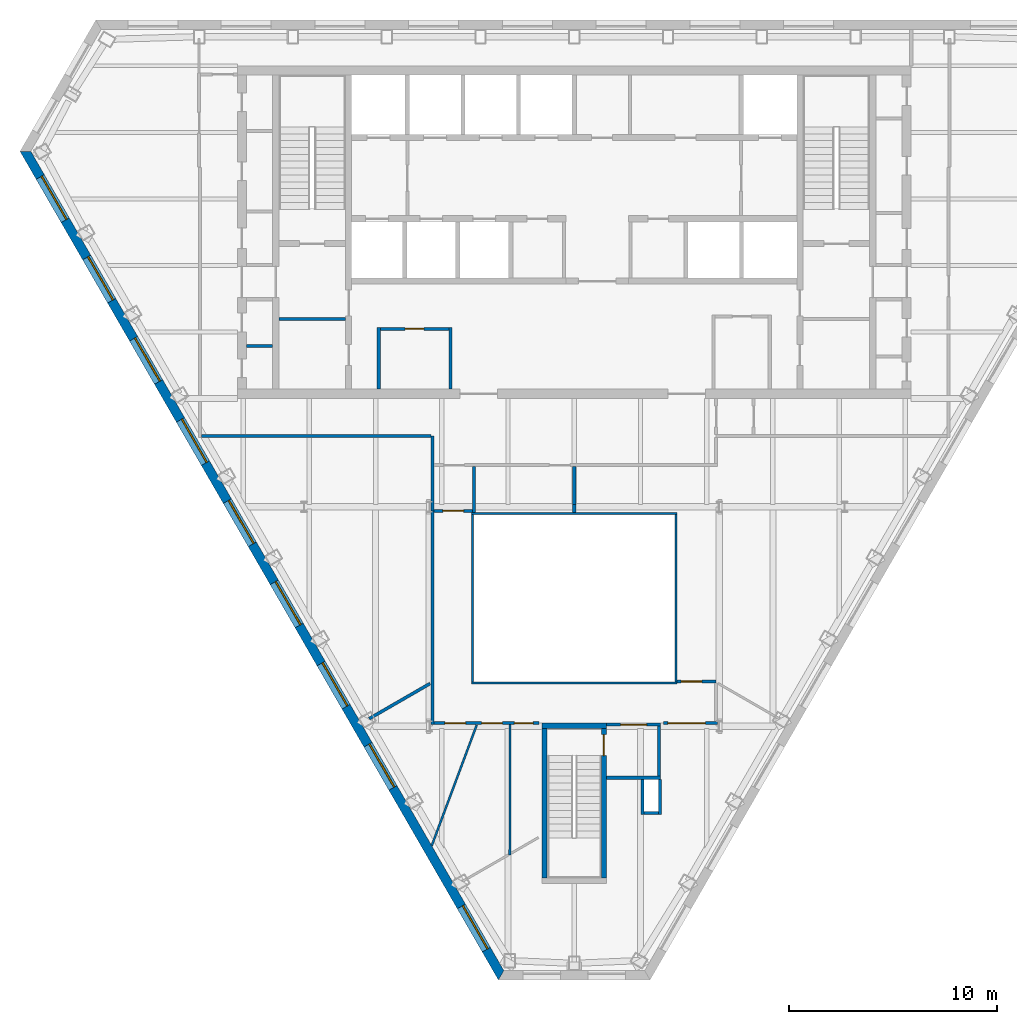
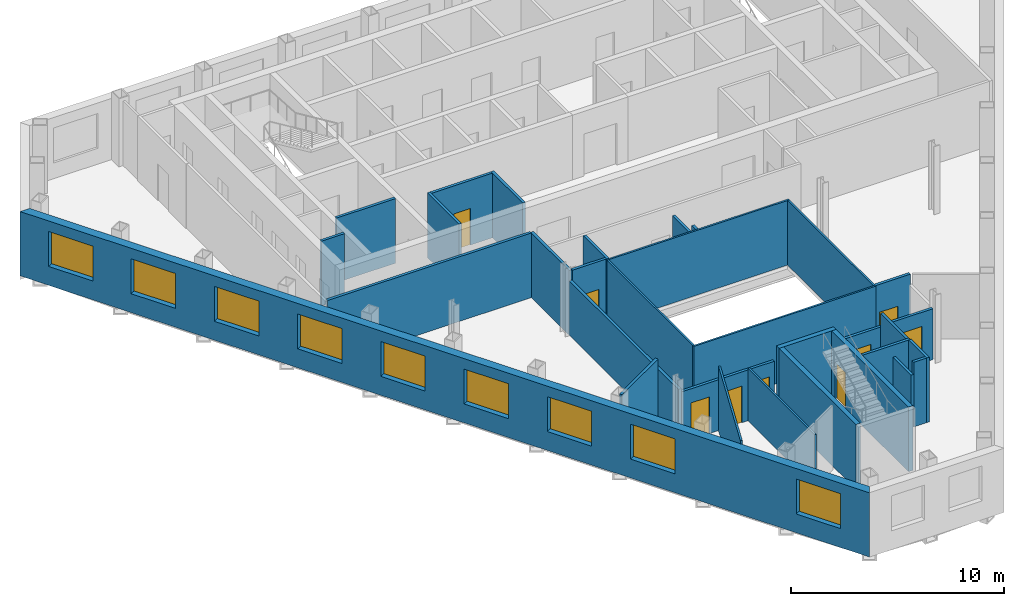
# One storey, part 4 of 11: 32 walls, 9 doors, 9 windows, 18 openings.
"""IFC4 building model written with IfcOpenShell, lengths in metres."""

from ifc_helpers import new_model, si_unit, direction, frame, frame_2d, origin, place, context, subcontext, project, spatial, polyline, rectangle, outline, extrude, material, layer, layer_set, type_object, element, fill, save


model = new_model("IFC4")

# Units and contexts
model_context = context("Model", 3, precision=1e-05, world=origin(), true_north=direction((0.0, 1.0)))
body_context = subcontext(model_context, "Body", "Model", "MODEL_VIEW")
ifc_project = project(units=[si_unit("LENGTHUNIT", "METRE"), si_unit("AREAUNIT", "SQUARE_METRE"), si_unit("VOLUMEUNIT", "CUBIC_METRE"), si_unit("PLANEANGLEUNIT", "RADIAN"), si_unit("MASSUNIT", "GRAM", prefix="KILO")], contexts=[model_context])

# Site, building, storey
site_placement = place(None, origin())
site = spatial("IfcSite", under=ifc_project, at=site_placement, CompositionType="ELEMENT")
building_placement = place(site_placement, origin())
building = spatial("IfcBuilding", under=site, at=building_placement, Name="Njiva Tower", CompositionType="ELEMENT")
storey_placement = place(building_placement, frame((0.0, 0.0, 204.3)))
storey = spatial("IfcBuildingStorey", under=building, at=storey_placement, Name="L45", CompositionType="ELEMENT", Elevation=204.3)

# Walls
ifc_material_1 = material(Name="Blockwork", Category="masonry")
ifc_layer_1 = layer(ifc_material_1, 0.15)
ifc_layer_set_1 = layer_set([ifc_layer_1], Name="Blockwork")
wall_type_1 = type_object("IfcWallType", Name="WT1 Compartment partition 150", PredefinedType="PARTITIONING", material=ifc_layer_set_1)
wall_1_placement = place(storey_placement, frame((-14.2, 5.825, 0.0), z_axis=(0.0, 0.0, 1.0), x_axis=(1.0, 0.0, 0.0)))
element("IfcWall", 1, at=wall_1_placement, inside=storey, type_object=wall_type_1, Name="Room wall A", PredefinedType="PARTITIONING", context=body_context, shape_type="SweptSolid", body=[
    extrude(rectangle(XDim=3.2, YDim=0.15, at=frame_2d((1.6, 0.0))), origin(), (0.0, 0.0, 1.0), 3.7),
])
wall_2_placement = place(storey_placement, frame((-15.75, 4.5363, 0.0), z_axis=(0.0, 0.0, 1.0), x_axis=(1.0, 0.0, 0.0)))
element("IfcWall", 2, at=wall_2_placement, inside=storey, type_object=wall_type_1, Name="Partition strip W00", PredefinedType="PARTITIONING", context=body_context, shape_type="SweptSolid", body=[
    extrude(rectangle(XDim=1.25, YDim=0.15, at=frame_2d((0.625, 0.0))), origin(), (0.0, 0.0, 1.0), 3.7),
])
for number, where, z_axis, x_axis, name in (
    (3, (-9.4, 2.45, 0.0), (0.0, 0.0, 1.0), (0.0, 1.0, 0.0), "Post room wall west"),
    (4, (-5.95, 2.45, 0.0), (0.0, 0.0, 1.0), (0.0, 1.0, 0.0), "Post room wall east"),
):
    element("IfcWall", number, at=place(storey_placement, frame(where, z_axis=z_axis, x_axis=x_axis)), inside=storey, type_object=wall_type_1, Name=name, PredefinedType="PARTITIONING", context=body_context, shape_type="SweptSolid", body=[
        extrude(rectangle(XDim=2.975, YDim=0.15, at=frame_2d((1.4875, 0.0))), origin(), (0.0, 0.0, 1.0), 3.7),
    ])

# Wall, opening, door
wall_3_placement = place(storey_placement, frame((-9.325, 5.35, 0.0), z_axis=(0.0, 0.0, 1.0), x_axis=(1.0, 0.0, 0.0)))
wall_3 = element("IfcWall", 5, at=wall_3_placement, inside=storey, type_object=wall_type_1, Name="Post room wall north", PredefinedType="PARTITIONING", context=body_context, shape_type="SweptSolid", body=[
    extrude(rectangle(XDim=3.3, YDim=0.15, at=frame_2d((1.65, 0.0))), origin(), (0.0, 0.0, 1.0), 3.7),
])
opening_1_placement = place(wall_3_placement, frame((1.2, 0.0, 0.0)))
opening_1 = element("IfcOpeningElement", 6, at=opening_1_placement, cuts=wall_3, Name="Opening S15-D935", PredefinedType="OPENING", context=body_context, shape_type="SweptSolid", body=[
    extrude(rectangle(XDim=0.9, YDim=2.1, at=frame_2d((0.45, 1.05))), frame((0.0, 0.085, 0.0), z_axis=(0.0, -1.0, 0.0), x_axis=(1.0, 0.0, 0.0)), (0.0, 0.0, 1.0), 0.17),
])
ifc_material_2 = material(Name="Steel fire door, painted", Category="steel")
door_type_1 = type_object("IfcDoorType", Name="D6 Fire-rated door 900x2100", OperationType="SINGLE_SWING_LEFT", PredefinedType="DOOR", material=ifc_material_2)
door_1_placement = place(opening_1_placement, origin())
door_1 = element("IfcDoor", 7, at=door_1_placement, inside=storey, type_object=door_type_1, Name="Post room door", OperationType="SINGLE_SWING_RIGHT", OverallHeight=2.1, OverallWidth=0.9, PredefinedType="DOOR", context=body_context, shape_type="SweptSolid", body=[
    extrude(rectangle(XDim=0.9, YDim=2.1, at=frame_2d((0.45, 1.05))), frame((0.0, 0.025, 0.0), z_axis=(0.0, -1.0, 0.0), x_axis=(1.0, 0.0, 0.0)), (0.0, 0.0, 1.0), 0.05),
])
fill(opening_1, door_1)

# Walls
ifc_material_3 = material(Name="Gypsum board on steel studs", Category="gypsum")
ifc_layer_2 = layer(ifc_material_3, 0.1)
ifc_layer_set_2 = layer_set([ifc_layer_2], Name="Gypsum board on steel studs")
wall_type_2 = type_object("IfcWallType", Name="WT20 Gypsum partition 100", PredefinedType="PARTITIONING", material=ifc_layer_set_2)
wall_4_placement = place(storey_placement, frame((-6.852, -19.495, 0.0), z_axis=(0.0, 0.0, 1.0), x_axis=(0.349406475185, 0.936971245609, 0.0)))
element("IfcWall", 8, at=wall_4_placement, inside=storey, type_object=wall_type_2, Name="Partition S15-P007", PredefinedType="PARTITIONING", context=body_context, shape_type="SweptSolid", body=[
    extrude(rectangle(XDim=6.1934, YDim=0.1, at=frame_2d((3.0967, 0.0))), origin(), (0.0, 0.0, 1.0), 3.7),
])
wall_5_placement = place(storey_placement, frame((-3.1, -19.948, 0.0), z_axis=(0.0, 0.0, 1.0), x_axis=(0.003347661777, 0.999994396565, 0.0)))
element("IfcWall", 9, at=wall_5_placement, inside=storey, type_object=wall_type_2, Name="Partition S15-P014", PredefinedType="PARTITIONING", context=body_context, shape_type="SweptSolid", body=[
    extrude(rectangle(XDim=6.273, YDim=0.1, at=frame_2d((3.1365, 0.0))), origin(), (0.0, 0.0, 1.0), 3.01),
])
ifc_layer_3 = layer(ifc_material_3, 0.15)
ifc_layer_set_3 = layer_set([ifc_layer_3], Name="Gypsum board on steel studs")
wall_type_3 = type_object("IfcWallType", Name="WT21 Compartment wall 150", PredefinedType="PARTITIONING", material=ifc_layer_set_3)
wall_6_placement = place(storey_placement, frame((-17.925, 0.2, 0.0), z_axis=(0.0, 0.0, 1.0), x_axis=(1.0, 0.0, 0.0)))
element("IfcWall", 10, at=wall_6_placement, inside=storey, type_object=wall_type_3, Name="Partition S15-P005", PredefinedType="PARTITIONING", context=body_context, shape_type="SweptSolid", body=[
    extrude(rectangle(XDim=11.03, YDim=0.15, at=frame_2d((5.515, 0.0))), origin(), (0.0, 0.0, 1.0), 3.7),
])
wall_7_placement = place(storey_placement, frame((-9.858, -13.389, 0.0), z_axis=(0.0, 0.0, 1.0), x_axis=(0.865993292597, 0.500055614084, 0.0)))
element("IfcWall", 11, at=wall_7_placement, inside=storey, type_object=wall_type_3, Name="Partition S15-P006", PredefinedType="PARTITIONING", context=body_context, shape_type="SweptSolid", body=[
    extrude(rectangle(XDim=3.3776, YDim=0.15, at=frame_2d((1.6888, 0.0))), origin(), (0.0, 0.0, 1.0), 3.7),
])
wall_8_placement = place(storey_placement, frame((-6.82, -13.675, 0.0), z_axis=(0.0, 0.0, 1.0), x_axis=(0.0, 1.0, 0.0)))
element("IfcWall", 12, at=wall_8_placement, inside=storey, type_object=wall_type_3, Name="Partition S15-P008", PredefinedType="PARTITIONING", context=body_context, shape_type="SweptSolid", body=[
    extrude(rectangle(XDim=10.263, YDim=0.15, at=frame_2d((5.1315, 0.0))), origin(), (0.0, 0.0, 1.0), 3.11),
])
wall_9_placement = place(storey_placement, frame((-6.82, -3.412, 0.0), z_axis=(0.0, 0.0, 1.0), x_axis=(0.0, 1.0, 0.0)))
element("IfcWall", 13, at=wall_9_placement, inside=storey, type_object=wall_type_3, Name="Partition S15-P008A", PredefinedType="PARTITIONING", context=body_context, shape_type="SweptSolid", body=[
    extrude(rectangle(XDim=3.607, YDim=0.15, at=frame_2d((1.8035, 0.0))), origin(), (0.0, 0.0, 1.0), 3.7),
])

# Wall, openings, doors
wall_10_placement = place(storey_placement, frame((-6.745, -13.6, 0.0), z_axis=(0.0, 0.0, 1.0), x_axis=(1.0, 0.0, 0.0)))
wall_10 = element("IfcWall", 14, at=wall_10_placement, inside=storey, type_object=wall_type_3, Name="Partition S15-P009", PredefinedType="PARTITIONING", context=body_context, shape_type="SweptSolid", body=[
    extrude(rectangle(XDim=5.045, YDim=0.15, at=frame_2d((2.5225, 0.0))), origin(), (0.0, 0.0, 1.0), 2.91),
])
opening_2_placement = place(wall_10_placement, frame((0.522, 0.0, 0.0)))
opening_2 = element("IfcOpeningElement", 15, at=opening_2_placement, cuts=wall_10, Name="Opening S15-D003", PredefinedType="OPENING", context=body_context, shape_type="SweptSolid", body=[
    extrude(rectangle(XDim=1.0, YDim=2.1, at=frame_2d((0.5, 1.05))), frame((0.0, 0.085, 0.0), z_axis=(0.0, -1.0, 0.0), x_axis=(1.0, 0.0, 0.0)), (0.0, 0.0, 1.0), 0.17),
])
opening_3_placement = place(wall_10_placement, frame((2.291, 0.0, 0.0)))
opening_3 = element("IfcOpeningElement", 16, at=opening_3_placement, cuts=wall_10, Name="Opening S15-D004", PredefinedType="OPENING", context=body_context, shape_type="SweptSolid", body=[
    extrude(rectangle(XDim=1.0, YDim=2.1, at=frame_2d((0.5, 1.05))), frame((0.0, 0.085, 0.0), z_axis=(0.0, -1.0, 0.0), x_axis=(1.0, 0.0, 0.0)), (0.0, 0.0, 1.0), 0.17),
])
opening_4_placement = place(wall_10_placement, frame((3.866, 0.0, 0.0)))
opening_4 = element("IfcOpeningElement", 17, at=opening_4_placement, cuts=wall_10, Name="Opening S15-D005", PredefinedType="OPENING", context=body_context, shape_type="SweptSolid", body=[
    extrude(rectangle(XDim=0.9, YDim=2.1, at=frame_2d((0.45, 1.05))), frame((0.0, 0.085, 0.0), z_axis=(0.0, -1.0, 0.0), x_axis=(1.0, 0.0, 0.0)), (0.0, 0.0, 1.0), 0.17),
])
ifc_material_4 = material(Name="Steel fire door set", Category="steel")
door_type_2 = type_object("IfcDoorType", Name="D36 Fire door 900x2100", OperationType="SINGLE_SWING_LEFT", PredefinedType="DOOR", material=ifc_material_4)
door_2_placement = place(opening_4_placement, origin())
door_2 = element("IfcDoor", 18, at=door_2_placement, inside=storey, type_object=door_type_2, Name="Door S15-D005", OperationType="SINGLE_SWING_RIGHT", OverallHeight=2.1, OverallWidth=0.9, PredefinedType="DOOR", context=body_context, shape_type="SweptSolid", body=[
    extrude(rectangle(XDim=0.9, YDim=2.1, at=frame_2d((0.45, 1.05))), frame((0.0, 0.025, 0.0), z_axis=(0.0, -1.0, 0.0), x_axis=(1.0, 0.0, 0.0)), (0.0, 0.0, 1.0), 0.05),
])
fill(opening_4, door_2)
door_type_3 = type_object("IfcDoorType", Name="D37 Fire door 1000x2100", OperationType="SINGLE_SWING_LEFT", PredefinedType="DOOR", material=ifc_material_4)
door_3_placement = place(opening_2_placement, origin())
door_3 = element("IfcDoor", 19, at=door_3_placement, inside=storey, type_object=door_type_3, Name="Door S15-D003", OperationType="SINGLE_SWING_LEFT", OverallHeight=2.1, OverallWidth=1.0, PredefinedType="DOOR", context=body_context, shape_type="SweptSolid", body=[
    extrude(rectangle(XDim=1.0, YDim=2.1, at=frame_2d((0.5, 1.05))), frame((0.0, 0.025, 0.0), z_axis=(0.0, -1.0, 0.0), x_axis=(1.0, 0.0, 0.0)), (0.0, 0.0, 1.0), 0.05),
])
fill(opening_2, door_3)
door_4_placement = place(opening_3_placement, origin())
door_4 = element("IfcDoor", 20, at=door_4_placement, inside=storey, type_object=door_type_3, Name="Door S15-D004", OperationType="SINGLE_SWING_RIGHT", OverallHeight=2.1, OverallWidth=1.0, PredefinedType="DOOR", context=body_context, shape_type="SweptSolid", body=[
    extrude(rectangle(XDim=1.0, YDim=2.1, at=frame_2d((0.5, 1.05))), frame((0.0, 0.025, 0.0), z_axis=(0.0, -1.0, 0.0), x_axis=(1.0, 0.0, 0.0)), (0.0, 0.0, 1.0), 0.05),
])
fill(opening_3, door_4)

# Wall, opening, door
wall_11_placement = place(storey_placement, frame((-6.745, -3.4, 0.0), z_axis=(0.0, 0.0, 1.0), x_axis=(1.0, 0.0, 0.0)))
wall_11 = element("IfcWall", 21, at=wall_11_placement, inside=storey, type_object=wall_type_3, Name="Partition S15-P010", PredefinedType="PARTITIONING", context=body_context, shape_type="SweptSolid", body=[
    extrude(rectangle(XDim=1.851, YDim=0.15, at=frame_2d((0.9255, 0.0))), origin(), (0.0, 0.0, 1.0), 3.7),
])
opening_5_placement = place(wall_11_placement, frame((0.425, 0.0, 0.0)))
opening_5 = element("IfcOpeningElement", 22, at=opening_5_placement, cuts=wall_11, Name="Opening S15-D006", PredefinedType="OPENING", context=body_context, shape_type="SweptSolid", body=[
    extrude(rectangle(XDim=1.0, YDim=2.1, at=frame_2d((0.5, 1.05))), frame((0.0, 0.085, 0.0), z_axis=(0.0, -1.0, 0.0), x_axis=(1.0, 0.0, 0.0)), (0.0, 0.0, 1.0), 0.17),
])
door_5_placement = place(opening_5_placement, origin())
door_5 = element("IfcDoor", 23, at=door_5_placement, inside=storey, type_object=door_type_3, Name="Door S15-D006", OperationType="SINGLE_SWING_RIGHT", OverallHeight=2.1, OverallWidth=1.0, PredefinedType="DOOR", context=body_context, shape_type="SweptSolid", body=[
    extrude(rectangle(XDim=1.0, YDim=2.1, at=frame_2d((0.5, 1.05))), frame((0.0, 0.025, 0.0), z_axis=(0.0, -1.0, 0.0), x_axis=(1.0, 0.0, 0.0)), (0.0, 0.0, 1.0), 0.05),
])
fill(opening_5, door_5)

# Walls
wall_12_placement = place(storey_placement, frame((-4.819, -3.48, 0.0), z_axis=(0.0, 0.0, 1.0), x_axis=(-0.000453514693, 0.999999897162, 0.0)))
element("IfcWall", 24, at=wall_12_placement, inside=storey, type_object=wall_type_3, Name="Partition S15-P013", PredefinedType="PARTITIONING", context=body_context, shape_type="SweptSolid", body=[
    extrude(rectangle(XDim=2.205, YDim=0.15, at=frame_2d((1.1025, 0.0))), origin(), (0.0, 0.0, 1.0), 3.7),
])
wall_13_placement = place(storey_placement, frame((0.0, -3.48, 0.0), z_axis=(0.0, 0.0, 1.0), x_axis=(0.0, 1.0, 0.0)))
element("IfcWall", 25, at=wall_13_placement, inside=storey, type_object=wall_type_3, Name="Partition S15-P016", PredefinedType="PARTITIONING", context=body_context, shape_type="SweptSolid", body=[
    extrude(rectangle(XDim=0.38, YDim=0.15, at=frame_2d((0.19, 0.0))), origin(), (0.0, 0.0, 1.0), 3.7),
])
wall_14_placement = place(storey_placement, frame((0.0, -3.1, 0.0), z_axis=(0.0, 0.0, 1.0), x_axis=(0.0, 1.0, 0.0)))
element("IfcWall", 26, at=wall_14_placement, inside=storey, type_object=wall_type_3, Name="Partition S15-P016A", PredefinedType="PARTITIONING", context=body_context, shape_type="SweptSolid", body=[
    extrude(rectangle(XDim=1.825, YDim=0.15, at=frame_2d((0.9125, 0.0))), origin(), (0.0, 0.0, 1.0), 3.15),
])

# Wall, opening, door
wall_15_placement = place(storey_placement, frame((4.3, -13.6, 0.0), z_axis=(0.0, 0.0, 1.0), x_axis=(1.0, 0.0, 0.0)))
wall_15 = element("IfcWall", 27, at=wall_15_placement, inside=storey, type_object=wall_type_3, Name="Partition S15-P017", PredefinedType="PARTITIONING", context=body_context, shape_type="SweptSolid", body=[
    extrude(rectangle(XDim=2.595, YDim=0.15, at=frame_2d((1.2975, 0.0))), origin(), (0.0, 0.0, 1.0), 2.91),
])
opening_6_placement = place(wall_15_placement, frame((0.2, 0.0, 0.0)))
opening_6 = element("IfcOpeningElement", 28, at=opening_6_placement, cuts=wall_15, Name="Opening S15-D009", PredefinedType="OPENING", context=body_context, shape_type="SweptSolid", body=[
    extrude(rectangle(XDim=1.8, YDim=2.1, at=frame_2d((0.9, 1.05))), frame((0.0, 0.085, 0.0), z_axis=(0.0, -1.0, 0.0), x_axis=(1.0, 0.0, 0.0)), (0.0, 0.0, 1.0), 0.17),
])
door_type_4 = type_object("IfcDoorType", Name="D38 Fire door 1800x2100", OperationType="DOUBLE_DOOR_SINGLE_SWING", PredefinedType="DOOR", material=ifc_material_4)
door_6_placement = place(opening_6_placement, origin())
door_6 = element("IfcDoor", 29, at=door_6_placement, inside=storey, type_object=door_type_4, Name="Door S15-D009", OperationType="DOUBLE_DOOR_SINGLE_SWING", OverallHeight=2.1, OverallWidth=1.8, PredefinedType="DOOR", context=body_context, shape_type="SweptSolid", body=[
    extrude(rectangle(XDim=1.8, YDim=2.1, at=frame_2d((0.9, 1.05))), frame((0.0, 0.025, 0.0), z_axis=(0.0, -1.0, 0.0), x_axis=(1.0, 0.0, 0.0)), (0.0, 0.0, 1.0), 0.05),
])
fill(opening_6, door_6)

wall_16_placement = place(storey_placement, frame((4.94, -11.6, 0.0), z_axis=(0.0, 0.0, 1.0), x_axis=(1.0, 0.0, 0.0)))
wall_16 = element("IfcWall", 30, at=wall_16_placement, inside=storey, type_object=wall_type_3, Name="Partition S15-P018", PredefinedType="PARTITIONING", context=body_context, shape_type="SweptSolid", body=[
    extrude(rectangle(XDim=1.88, YDim=0.15, at=frame_2d((0.94, 0.0))), origin(), (0.0, 0.0, 1.0), 3.7),
])
opening_7_placement = place(wall_16_placement, frame((0.2, 0.0, 0.0)))
opening_7 = element("IfcOpeningElement", 31, at=opening_7_placement, cuts=wall_16, Name="Opening S15-D010", PredefinedType="OPENING", context=body_context, shape_type="SweptSolid", body=[
    extrude(rectangle(XDim=1.0, YDim=2.1, at=frame_2d((0.5, 1.05))), frame((0.0, 0.085, 0.0), z_axis=(0.0, -1.0, 0.0), x_axis=(1.0, 0.0, 0.0)), (0.0, 0.0, 1.0), 0.17),
])
door_7_placement = place(opening_7_placement, origin())
door_7 = element("IfcDoor", 32, at=door_7_placement, inside=storey, type_object=door_type_3, Name="Door S15-D010", OperationType="SINGLE_SWING_LEFT", OverallHeight=2.1, OverallWidth=1.0, PredefinedType="DOOR", context=body_context, shape_type="SweptSolid", body=[
    extrude(rectangle(XDim=1.0, YDim=2.1, at=frame_2d((0.5, 1.05))), frame((0.0, 0.025, 0.0), z_axis=(0.0, -1.0, 0.0), x_axis=(1.0, 0.0, 0.0)), (0.0, 0.0, 1.0), 0.05),
])
fill(opening_7, door_7)

# Walls
ifc_layer_4 = layer(ifc_material_1, 0.15)
ifc_layer_set_4 = layer_set([ifc_layer_4], Name="Blockwork")
wall_type_4 = type_object("IfcWallType", Name="WT4 Stair partition 150", PredefinedType="PARTITIONING", material=ifc_layer_set_4)
wall_17_placement = place(storey_placement, frame((1.55, -16.225, 0.0), z_axis=(0.0, 0.0, 1.0), x_axis=(1.0, 0.0, 0.0)))
element("IfcWall", 33, at=wall_17_placement, inside=storey, type_object=wall_type_4, Name="Stair C vestibule wall south", PredefinedType="PARTITIONING", context=body_context, shape_type="SweptSolid", body=[
    extrude(rectangle(XDim=2.6, YDim=0.15, at=frame_2d((1.3, 0.0))), origin(), (0.0, 0.0, 1.0), 3.7),
])
wall_18_placement = place(storey_placement, frame((4.075, -16.15, 0.0), z_axis=(0.0, 0.0, 1.0), x_axis=(0.0, 1.0, 0.0)))
element("IfcWall", 34, at=wall_18_placement, inside=storey, type_object=wall_type_4, Name="Stair C vestibule wall east", PredefinedType="PARTITIONING", context=body_context, shape_type="SweptSolid", body=[
    extrude(rectangle(XDim=2.4, YDim=0.15, at=frame_2d((1.2, 0.0))), origin(), (0.0, 0.0, 1.0), 3.7),
])

# Wall, opening, door
wall_19_placement = place(storey_placement, frame((1.55, -13.675, 0.0), z_axis=(0.0, 0.0, 1.0), x_axis=(1.0, 0.0, 0.0)))
wall_19 = element("IfcWall", 35, at=wall_19_placement, inside=storey, type_object=wall_type_4, Name="Stair C vestibule wall north", PredefinedType="PARTITIONING", context=body_context, shape_type="SweptSolid", body=[
    extrude(rectangle(XDim=2.6, YDim=0.15, at=frame_2d((1.3, 0.0))), origin(), (0.0, 0.0, 1.0), 2.91),
])
opening_8_placement = place(wall_19_placement, frame((0.675, 0.0, 0.0)))
opening_8 = element("IfcOpeningElement", 36, at=opening_8_placement, cuts=wall_19, Name="Opening S15-D941", PredefinedType="OPENING", context=body_context, shape_type="SweptSolid", body=[
    extrude(rectangle(XDim=1.25, YDim=2.1, at=frame_2d((0.625, 1.05))), frame((0.0, 0.085, 0.0), z_axis=(0.0, -1.0, 0.0), x_axis=(1.0, 0.0, 0.0)), (0.0, 0.0, 1.0), 0.17),
])
ifc_material_5 = material(Name="Glazed steel fire door", Category="steel")
door_type_5 = type_object("IfcDoorType", Name="D8 Vestibule corridor door 1250x2100 glazed", OperationType="SINGLE_SWING_LEFT", PredefinedType="DOOR", material=ifc_material_5)
door_8_placement = place(opening_8_placement, origin())
door_8 = element("IfcDoor", 37, at=door_8_placement, inside=storey, type_object=door_type_5, Name="Stair vestibule corridor door", OperationType="SINGLE_SWING_RIGHT", OverallHeight=2.1, OverallWidth=1.25, PredefinedType="DOOR", context=body_context, shape_type="SweptSolid", body=[
    extrude(rectangle(XDim=1.25, YDim=2.1, at=frame_2d((0.625, 1.05))), frame((0.0, 0.025, 0.0), z_axis=(0.0, -1.0, 0.0), x_axis=(1.0, 0.0, 0.0)), (0.0, 0.0, 1.0), 0.05),
])
fill(opening_8, door_8)

# Walls
wall_20_placement = place(storey_placement, frame((3.275, -18.0, 0.0), z_axis=(0.0, 0.0, 1.0), x_axis=(0.0, 1.0, 0.0)))
element("IfcWall", 38, at=wall_20_placement, inside=storey, type_object=wall_type_4, Name="Stair C pressurisation shaft wall", PredefinedType="PARTITIONING", context=body_context, shape_type="SweptSolid", body=[
    extrude(rectangle(XDim=1.7, YDim=0.15, at=frame_2d((0.85, 0.0))), origin(), (0.0, 0.0, 1.0), 3.01),
])
wall_21_placement = place(storey_placement, frame((3.35, -17.925, 0.0), z_axis=(0.0, 0.0, 1.0), x_axis=(1.0, 0.0, 0.0)))
element("IfcWall", 39, at=wall_21_placement, inside=storey, type_object=wall_type_4, Name="Stair C pressurisation shaft wall", PredefinedType="PARTITIONING", context=body_context, shape_type="SweptSolid", body=[
    extrude(rectangle(XDim=0.7, YDim=0.15, at=frame_2d((0.35, 0.0))), origin(), (0.0, 0.0, 1.0), 3.7),
])
wall_22_placement = place(storey_placement, frame((4.125, -18.0, 0.0), z_axis=(0.0, 0.0, 1.0), x_axis=(0.0, 1.0, 0.0)))
element("IfcWall", 40, at=wall_22_placement, inside=storey, type_object=wall_type_4, Name="Stair C pressurisation shaft wall", PredefinedType="PARTITIONING", context=body_context, shape_type="SweptSolid", body=[
    extrude(rectangle(XDim=1.7, YDim=0.15, at=frame_2d((0.85, 0.0))), origin(), (0.0, 0.0, 1.0), 3.7),
])
ifc_material_6 = material(Name="Concrete C40/50", Category="concrete")
ifc_layer_5 = layer(ifc_material_6, 0.25)
ifc_layer_set_5 = layer_set([ifc_layer_5], Name="Concrete C40/50")
wall_type_5 = type_object("IfcWallType", Name="WT9 Stair enclosure wall 250", PredefinedType="SHEAR", material=ifc_layer_set_5)
wall_23_placement = place(storey_placement, frame((-1.425, -21.05, 0.0), z_axis=(0.0, 0.0, 1.0), x_axis=(0.0, 1.0, 0.0)))
element("IfcWall", 41, at=wall_23_placement, inside=storey, type_object=wall_type_5, Name="Stair C wall west", PredefinedType="SHEAR", context=body_context, shape_type="SweptSolid", body=[
    extrude(rectangle(XDim=7.2, YDim=0.25, at=frame_2d((3.6, 0.0))), origin(), (0.0, 0.0, 1.0), 3.7),
])

# Wall, opening, door
wall_24_placement = place(storey_placement, frame((1.425, -21.05, 0.0), z_axis=(0.0, 0.0, 1.0), x_axis=(0.0, 1.0, 0.0)))
wall_24 = element("IfcWall", 42, at=wall_24_placement, inside=storey, type_object=wall_type_5, Name="Stair C wall east", PredefinedType="SHEAR", context=body_context, shape_type="SweptSolid", body=[
    extrude(rectangle(XDim=7.2, YDim=0.25, at=frame_2d((3.6, 0.0))), origin(), (0.0, 0.0, 1.0), 3.7),
])
opening_9_placement = place(wall_24_placement, frame((5.89, 0.0, 0.0)))
opening_9 = element("IfcOpeningElement", 43, at=opening_9_placement, cuts=wall_24, Name="Opening S15-D940", PredefinedType="OPENING", context=body_context, shape_type="SweptSolid", body=[
    extrude(rectangle(XDim=1.0, YDim=2.1, at=frame_2d((0.5, 1.05))), frame((0.0, 0.135, 0.0), z_axis=(0.0, -1.0, 0.0), x_axis=(1.0, 0.0, 0.0)), (0.0, 0.0, 1.0), 0.27),
])
door_type_6 = type_object("IfcDoorType", Name="D9 Stair vestibule door 1000x2100 glazed", OperationType="SINGLE_SWING_LEFT", PredefinedType="DOOR", material=ifc_material_5)
door_9_placement = place(opening_9_placement, origin())
door_9 = element("IfcDoor", 44, at=door_9_placement, inside=storey, type_object=door_type_6, Name="Stair C door", OperationType="SINGLE_SWING_LEFT", OverallHeight=2.1, OverallWidth=1.0, PredefinedType="DOOR", context=body_context, shape_type="SweptSolid", body=[
    extrude(rectangle(XDim=1.0, YDim=2.1, at=frame_2d((0.5, 1.05))), frame((0.0, 0.025, 0.0), z_axis=(0.0, -1.0, 0.0), x_axis=(1.0, 0.0, 0.0)), (0.0, 0.0, 1.0), 0.05),
])
fill(opening_9, door_9)

# Wall
wall_25_placement = place(storey_placement, frame((-1.55, -13.725, 0.0), z_axis=(0.0, 0.0, 1.0), x_axis=(1.0, 0.0, 0.0)))
element("IfcWall", 45, at=wall_25_placement, inside=storey, type_object=wall_type_5, Name="Stair C wall north", PredefinedType="SHEAR", context=body_context, shape_type="SweptSolid", body=[
    extrude(rectangle(XDim=3.1, YDim=0.25, at=frame_2d((1.55, 0.0))), origin(), (0.0, 0.0, 1.0), 3.7),
])

# Wall, openings, windows
ifc_material_7 = material(Name="Brick masonry", Category="masonry")
ifc_layer_6 = layer(ifc_material_7, 0.45)
ifc_layer_set_6 = layer_set([ifc_layer_6], Name="Brick masonry")
wall_type_6 = type_object("IfcWallType", Name="WT90 Brick pier and spandrel wall 450", PredefinedType="SOLIDWALL", material=ifc_layer_set_6)
wall_26_placement = place(storey_placement, frame((-26.3852, 13.8867, -0.18), z_axis=(0.0, 0.0, 1.0), x_axis=(0.499999764979, -0.866025539474, 0.0)))
wall_26 = element("IfcWall", 46, at=wall_26_placement, inside=storey, type_object=wall_type_6, Name="Facade wall SW", PredefinedType="SOLIDWALL", context=body_context, shape_type="SweptSolid", body=[
    extrude(outline(polyline([(-0.1299, -0.225), (45.8701, -0.225), (45.6103, 0.225), (0.1299, 0.225), (-0.1299, -0.225)])), origin(), (0.0, 0.0, 1.0), 3.68),
])
opening_10_placement = place(wall_26_placement, frame((1.4242, 0.0, 1.08)))
opening_10 = element("IfcOpeningElement", 47, at=opening_10_placement, cuts=wall_26, Name="Opening S15-W12", PredefinedType="OPENING", context=body_context, shape_type="SweptSolid", body=[
    extrude(rectangle(XDim=2.4, YDim=2.0, at=frame_2d((1.2, 1.0))), frame((0.0, 0.235, 0.0), z_axis=(0.0, -1.0, 0.0), x_axis=(1.0, 0.0, 0.0)), (0.0, 0.0, 1.0), 0.47),
])
opening_11_placement = place(wall_26_placement, frame((5.8934, 0.0, 1.08)))
opening_11 = element("IfcOpeningElement", 48, at=opening_11_placement, cuts=wall_26, Name="Opening S15-W13", PredefinedType="OPENING", context=body_context, shape_type="SweptSolid", body=[
    extrude(rectangle(XDim=2.4, YDim=2.0, at=frame_2d((1.2, 1.0))), frame((0.0, 0.235, 0.0), z_axis=(0.0, -1.0, 0.0), x_axis=(1.0, 0.0, 0.0)), (0.0, 0.0, 1.0), 0.47),
])
opening_12_placement = place(wall_26_placement, frame((10.401, 0.0, 1.08)))
opening_12 = element("IfcOpeningElement", 49, at=opening_12_placement, cuts=wall_26, Name="Opening S15-W14", PredefinedType="OPENING", context=body_context, shape_type="SweptSolid", body=[
    extrude(rectangle(XDim=2.4, YDim=2.0, at=frame_2d((1.2, 1.0))), frame((0.0, 0.235, 0.0), z_axis=(0.0, -1.0, 0.0), x_axis=(1.0, 0.0, 0.0)), (0.0, 0.0, 1.0), 0.47),
])
opening_13_placement = place(wall_26_placement, frame((14.9087, 0.0, 1.08)))
opening_13 = element("IfcOpeningElement", 50, at=opening_13_placement, cuts=wall_26, Name="Opening S15-W15", PredefinedType="OPENING", context=body_context, shape_type="SweptSolid", body=[
    extrude(rectangle(XDim=2.4, YDim=2.0, at=frame_2d((1.2, 1.0))), frame((0.0, 0.235, 0.0), z_axis=(0.0, -1.0, 0.0), x_axis=(1.0, 0.0, 0.0)), (0.0, 0.0, 1.0), 0.47),
])
opening_14_placement = place(wall_26_placement, frame((19.4163, 0.0, 1.08)))
opening_14 = element("IfcOpeningElement", 51, at=opening_14_placement, cuts=wall_26, Name="Opening S15-W16", PredefinedType="OPENING", context=body_context, shape_type="SweptSolid", body=[
    extrude(rectangle(XDim=2.4, YDim=2.0, at=frame_2d((1.2, 1.0))), frame((0.0, 0.235, 0.0), z_axis=(0.0, -1.0, 0.0), x_axis=(1.0, 0.0, 0.0)), (0.0, 0.0, 1.0), 0.47),
])
opening_15_placement = place(wall_26_placement, frame((23.9239, 0.0, 1.08)))
opening_15 = element("IfcOpeningElement", 52, at=opening_15_placement, cuts=wall_26, Name="Opening S15-W17", PredefinedType="OPENING", context=body_context, shape_type="SweptSolid", body=[
    extrude(rectangle(XDim=2.4, YDim=2.0, at=frame_2d((1.2, 1.0))), frame((0.0, 0.235, 0.0), z_axis=(0.0, -1.0, 0.0), x_axis=(1.0, 0.0, 0.0)), (0.0, 0.0, 1.0), 0.47),
])
opening_16_placement = place(wall_26_placement, frame((28.4315, 0.0, 1.08)))
opening_16 = element("IfcOpeningElement", 53, at=opening_16_placement, cuts=wall_26, Name="Opening S15-W18", PredefinedType="OPENING", context=body_context, shape_type="SweptSolid", body=[
    extrude(rectangle(XDim=2.4, YDim=2.0, at=frame_2d((1.2, 1.0))), frame((0.0, 0.235, 0.0), z_axis=(0.0, -1.0, 0.0), x_axis=(1.0, 0.0, 0.0)), (0.0, 0.0, 1.0), 0.47),
])
opening_17_placement = place(wall_26_placement, frame((32.9391, 0.0, 1.08)))
opening_17 = element("IfcOpeningElement", 54, at=opening_17_placement, cuts=wall_26, Name="Opening S15-W19", PredefinedType="OPENING", context=body_context, shape_type="SweptSolid", body=[
    extrude(rectangle(XDim=2.4, YDim=2.0, at=frame_2d((1.2, 1.0))), frame((0.0, 0.235, 0.0), z_axis=(0.0, -1.0, 0.0), x_axis=(1.0, 0.0, 0.0)), (0.0, 0.0, 1.0), 0.47),
])
opening_18_placement = place(wall_26_placement, frame((41.916, 0.0, 1.08)))
opening_18 = element("IfcOpeningElement", 55, at=opening_18_placement, cuts=wall_26, Name="Opening S15-W20", PredefinedType="OPENING", context=body_context, shape_type="SweptSolid", body=[
    extrude(rectangle(XDim=2.4, YDim=2.0, at=frame_2d((1.2, 1.0))), frame((0.0, 0.235, 0.0), z_axis=(0.0, -1.0, 0.0), x_axis=(1.0, 0.0, 0.0)), (0.0, 0.0, 1.0), 0.47),
])
ifc_material_8 = material(Name="Clear glazing in aluminium frame", Category="aluminium")
window_type = type_object("IfcWindowType", Name="W90 Deep-set window 2400x2000", PartitioningType="SINGLE_PANEL", PredefinedType="WINDOW", material=ifc_material_8)
window_1_placement = place(opening_10_placement, origin())
window_1 = element("IfcWindow", 56, at=window_1_placement, inside=storey, type_object=window_type, Name="Window", OverallHeight=2.0, OverallWidth=2.4, PartitioningType="SINGLE_PANEL", PredefinedType="WINDOW", context=body_context, shape_type="SweptSolid", body=[
    extrude(rectangle(XDim=2.4, YDim=2.0, at=frame_2d((1.2, 1.0))), frame((0.0, 0.105, 0.0), z_axis=(0.0, -1.0, 0.0), x_axis=(1.0, 0.0, 0.0)), (0.0, 0.0, 1.0), 0.06),
])
fill(opening_10, window_1)
window_2_placement = place(opening_11_placement, origin())
window_2 = element("IfcWindow", 57, at=window_2_placement, inside=storey, type_object=window_type, Name="Window", OverallHeight=2.0, OverallWidth=2.4, PartitioningType="SINGLE_PANEL", PredefinedType="WINDOW", context=body_context, shape_type="SweptSolid", body=[
    extrude(rectangle(XDim=2.4, YDim=2.0, at=frame_2d((1.2, 1.0))), frame((0.0, 0.105, 0.0), z_axis=(0.0, -1.0, 0.0), x_axis=(1.0, 0.0, 0.0)), (0.0, 0.0, 1.0), 0.06),
])
fill(opening_11, window_2)
window_3_placement = place(opening_12_placement, origin())
window_3 = element("IfcWindow", 58, at=window_3_placement, inside=storey, type_object=window_type, Name="Window", OverallHeight=2.0, OverallWidth=2.4, PartitioningType="SINGLE_PANEL", PredefinedType="WINDOW", context=body_context, shape_type="SweptSolid", body=[
    extrude(rectangle(XDim=2.4, YDim=2.0, at=frame_2d((1.2, 1.0))), frame((0.0, 0.105, 0.0), z_axis=(0.0, -1.0, 0.0), x_axis=(1.0, 0.0, 0.0)), (0.0, 0.0, 1.0), 0.06),
])
fill(opening_12, window_3)
window_4_placement = place(opening_13_placement, origin())
window_4 = element("IfcWindow", 59, at=window_4_placement, inside=storey, type_object=window_type, Name="Window", OverallHeight=2.0, OverallWidth=2.4, PartitioningType="SINGLE_PANEL", PredefinedType="WINDOW", context=body_context, shape_type="SweptSolid", body=[
    extrude(rectangle(XDim=2.4, YDim=2.0, at=frame_2d((1.2, 1.0))), frame((0.0, 0.105, 0.0), z_axis=(0.0, -1.0, 0.0), x_axis=(1.0, 0.0, 0.0)), (0.0, 0.0, 1.0), 0.06),
])
fill(opening_13, window_4)
window_5_placement = place(opening_14_placement, origin())
window_5 = element("IfcWindow", 60, at=window_5_placement, inside=storey, type_object=window_type, Name="Window", OverallHeight=2.0, OverallWidth=2.4, PartitioningType="SINGLE_PANEL", PredefinedType="WINDOW", context=body_context, shape_type="SweptSolid", body=[
    extrude(rectangle(XDim=2.4, YDim=2.0, at=frame_2d((1.2, 1.0))), frame((0.0, 0.105, 0.0), z_axis=(0.0, -1.0, 0.0), x_axis=(1.0, 0.0, 0.0)), (0.0, 0.0, 1.0), 0.06),
])
fill(opening_14, window_5)
window_6_placement = place(opening_15_placement, origin())
window_6 = element("IfcWindow", 61, at=window_6_placement, inside=storey, type_object=window_type, Name="Window", OverallHeight=2.0, OverallWidth=2.4, PartitioningType="SINGLE_PANEL", PredefinedType="WINDOW", context=body_context, shape_type="SweptSolid", body=[
    extrude(rectangle(XDim=2.4, YDim=2.0, at=frame_2d((1.2, 1.0))), frame((0.0, 0.105, 0.0), z_axis=(0.0, -1.0, 0.0), x_axis=(1.0, 0.0, 0.0)), (0.0, 0.0, 1.0), 0.06),
])
fill(opening_15, window_6)
window_7_placement = place(opening_16_placement, origin())
window_7 = element("IfcWindow", 62, at=window_7_placement, inside=storey, type_object=window_type, Name="Window", OverallHeight=2.0, OverallWidth=2.4, PartitioningType="SINGLE_PANEL", PredefinedType="WINDOW", context=body_context, shape_type="SweptSolid", body=[
    extrude(rectangle(XDim=2.4, YDim=2.0, at=frame_2d((1.2, 1.0))), frame((0.0, 0.105, 0.0), z_axis=(0.0, -1.0, 0.0), x_axis=(1.0, 0.0, 0.0)), (0.0, 0.0, 1.0), 0.06),
])
fill(opening_16, window_7)
window_8_placement = place(opening_17_placement, origin())
window_8 = element("IfcWindow", 63, at=window_8_placement, inside=storey, type_object=window_type, Name="Window", OverallHeight=2.0, OverallWidth=2.4, PartitioningType="SINGLE_PANEL", PredefinedType="WINDOW", context=body_context, shape_type="SweptSolid", body=[
    extrude(rectangle(XDim=2.4, YDim=2.0, at=frame_2d((1.2, 1.0))), frame((0.0, 0.105, 0.0), z_axis=(0.0, -1.0, 0.0), x_axis=(1.0, 0.0, 0.0)), (0.0, 0.0, 1.0), 0.06),
])
fill(opening_17, window_8)
window_9_placement = place(opening_18_placement, origin())
window_9 = element("IfcWindow", 64, at=window_9_placement, inside=storey, type_object=window_type, Name="Window", OverallHeight=2.0, OverallWidth=2.4, PartitioningType="SINGLE_PANEL", PredefinedType="WINDOW", context=body_context, shape_type="SweptSolid", body=[
    extrude(rectangle(XDim=2.4, YDim=2.0, at=frame_2d((1.2, 1.0))), frame((0.0, 0.105, 0.0), z_axis=(0.0, -1.0, 0.0), x_axis=(1.0, 0.0, 0.0)), (0.0, 0.0, 1.0), 0.06),
])
fill(opening_18, window_9)

# Walls
ifc_material_9 = material(Name="Fire-resisting glazing EI 90", Category="glass")
ifc_layer_7 = layer(ifc_material_9, 0.1)
ifc_layer_set_7 = layer_set([ifc_layer_7], Name="Fire-resisting glazing EI 90")
wall_type_7 = type_object("IfcWallType", Name="WT95 Fire-resisting glazed screen EI 90", PredefinedType="PARTITIONING", material=ifc_layer_set_7)
wall_27_placement = place(storey_placement, frame((-4.94, -11.67, 0.0), z_axis=(0.0, 0.0, 1.0), x_axis=(1.0, 0.0, 0.0)))
element("IfcWall", 65, at=wall_27_placement, inside=storey, type_object=wall_type_7, Name="Atrium fire screen south", PredefinedType="PARTITIONING", context=body_context, shape_type="SweptSolid", body=[
    extrude(rectangle(XDim=9.88, YDim=0.1, at=frame_2d((4.94, 0.0))), origin(), (0.0, 0.0, 1.0), 3.7),
])
wall_28_placement = place(storey_placement, frame((4.89, -11.62, 0.0), z_axis=(0.0, 0.0, 1.0), x_axis=(0.0, 1.0, 0.0)))
element("IfcWall", 66, at=wall_28_placement, inside=storey, type_object=wall_type_7, Name="Atrium fire screen east", PredefinedType="PARTITIONING", context=body_context, shape_type="SweptSolid", body=[
    extrude(rectangle(XDim=8.04, YDim=0.1, at=frame_2d((4.02, 0.0))), origin(), (0.0, 0.0, 1.0), 3.7),
])
wall_29_placement = place(storey_placement, frame((4.94, -3.53, 0.0), z_axis=(0.0, 0.0, 1.0), x_axis=(-1.0, 0.0, 0.0)))
element("IfcWall", 67, at=wall_29_placement, inside=storey, type_object=wall_type_7, Name="Atrium fire screen north", PredefinedType="PARTITIONING", context=body_context, shape_type="SweptSolid", body=[
    extrude(rectangle(XDim=9.88, YDim=0.1, at=frame_2d((4.94, 0.0))), origin(), (0.0, 0.0, 1.0), 3.7),
])
wall_30_placement = place(storey_placement, frame((-4.89, -3.58, 0.0), z_axis=(0.0, 0.0, 1.0), x_axis=(0.0, -1.0, 0.0)))
element("IfcWall", 68, at=wall_30_placement, inside=storey, type_object=wall_type_7, Name="Atrium fire screen west", PredefinedType="PARTITIONING", context=body_context, shape_type="SweptSolid", body=[
    extrude(rectangle(XDim=8.04, YDim=0.1, at=frame_2d((4.02, 0.0))), origin(), (0.0, 0.0, 1.0), 3.7),
])

save(model, "model.ifc")
